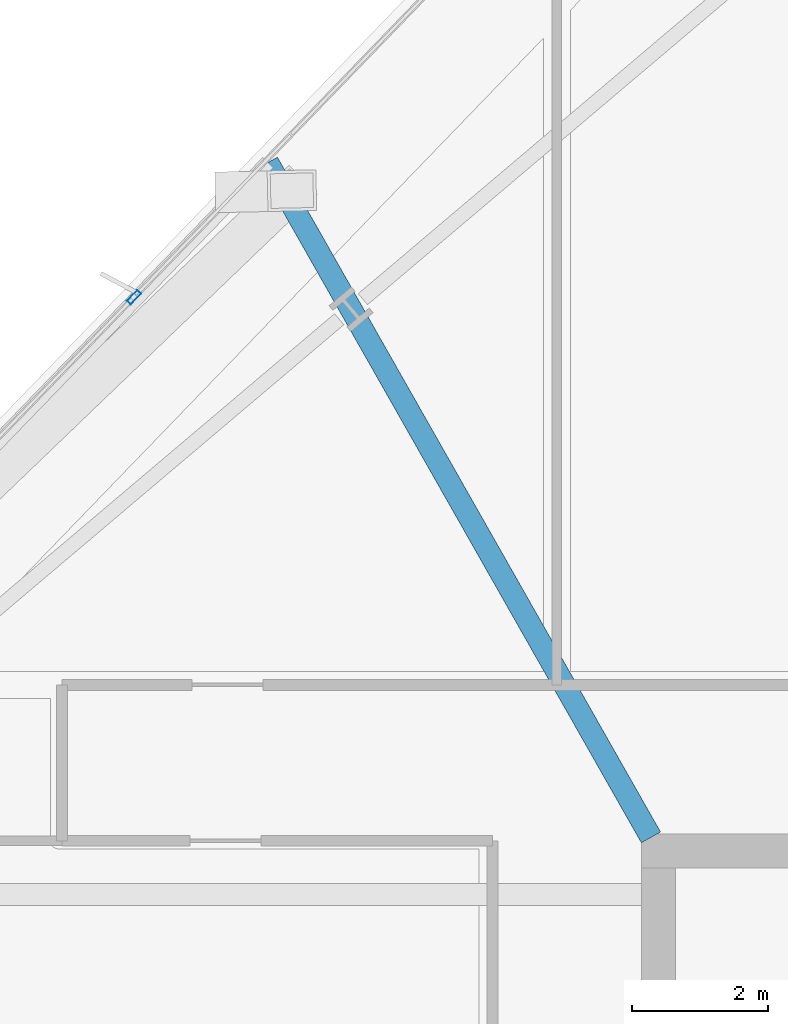
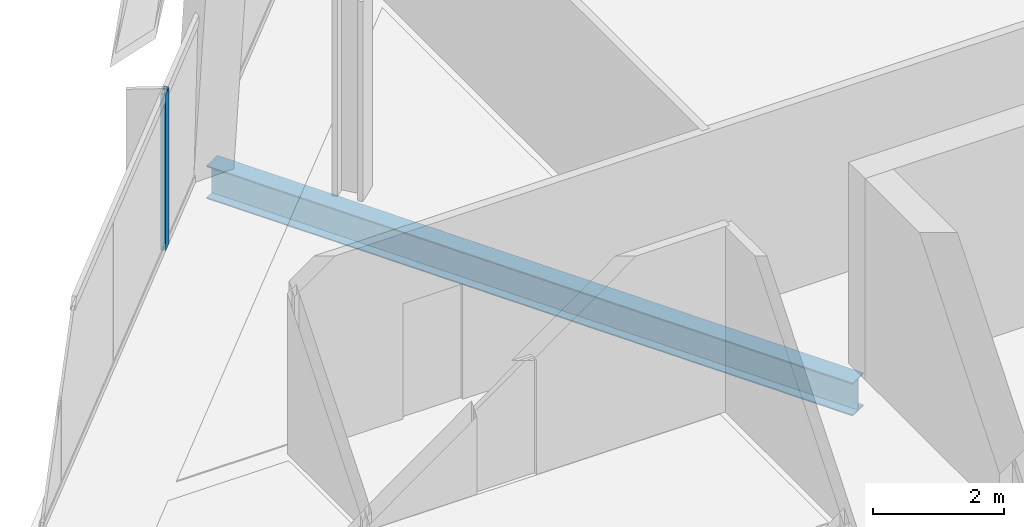
# One storey, part 17 of 33: 1 beam, 1 member, 1 element without a shape of its own.
"""IFC4 building model written with IfcOpenShell, lengths in metres."""

from ifc_helpers import new_model, si_unit, direction, frame, origin, origin_2d, place, context, subcontext, project, spatial, hollow_rectangle, i_section, extrude, material, material_profile, profile_set, type_object, element, aggregate, save


model = new_model("IFC4")

# Units and contexts
model_context = context("Model", 3, precision=1e-05, world=origin(), true_north=direction((0.0, 1.0)))
body_context = subcontext(model_context, "Body", "Model", "MODEL_VIEW")
ifc_project = project(units=[si_unit("LENGTHUNIT", "METRE"), si_unit("AREAUNIT", "SQUARE_METRE"), si_unit("VOLUMEUNIT", "CUBIC_METRE"), si_unit("PLANEANGLEUNIT", "RADIAN"), si_unit("MASSUNIT", "GRAM", prefix="KILO")], contexts=[model_context])

# Site, building, storey
site_placement = place(None, origin())
site = spatial("IfcSite", under=ifc_project, at=site_placement, CompositionType="ELEMENT")
building_placement = place(site_placement, origin())
building = spatial("IfcBuilding", under=site, at=building_placement, Name="Haldenkirk Collegiate Tower", CompositionType="ELEMENT")
storey_placement = place(building_placement, frame((0.0, 0.0, 181.949951171875)))
storey = spatial("IfcBuildingStorey", under=building, at=storey_placement, Name="L45", CompositionType="ELEMENT", Elevation=181.949951171875)

# Beam
ifc_material_1 = material(Name="Steel ASTM A992 Grade 50", Category="steel")
ifc_material_profile_1 = material_profile(ifc_material_1, i_section(OverallWidth=0.324951171875, OverallDepth=0.615966796875, WebThickness=0.013916015625, FlangeThickness=0.021484375, at=origin_2d()), Name="W24X117")
ifc_profile_set_1 = profile_set([ifc_material_profile_1], Name="Steel ASTM A992 Grade 50")
beam_type = type_object("IfcBeamType", Name="BM-GIRDER-W24X117", PredefinedType="BEAM", material=ifc_profile_set_1)
beam_placement = place(storey_placement, frame((21.23583984375, 44.152099609375, -0.597900390625), z_axis=(0.493745495693, -0.869606454371, 0.0), x_axis=(0.869606454371, 0.493745495693, 0.0)))
element("IfcBeam", 1, at=beam_placement, inside=storey, type_object=beam_type, Name="L45 primary floor girder 12", PredefinedType="BEAM", context=body_context, shape_type="SweptSolid", body=[
    extrude(i_section(OverallWidth=0.324951171875, OverallDepth=0.615966796875, WebThickness=0.013916015625, FlangeThickness=0.021484375, at=origin_2d()), origin(), (0.0, 0.0, 1.0), 11.4443359375),
])

# Curtain wall, member
ifc_material_2 = material(Name="Anodised architectural bronze aluminium", Category="aluminium")
curtain_wall_type = type_object("IfcCurtainWallType", Name="CW-SYS1-CONVEX-LOW", PredefinedType="USERDEFINED", material=ifc_material_2)
curtain_wall_placement = place(storey_placement, origin())
curtain_wall = element("IfcCurtainWall", 2, at=curtain_wall_placement, inside=storey, type_object=curtain_wall_type, Name="L45 Lower tower convex bronze-framed unitised curtain wall", ObjectType="UNITISED CURTAIN WALL", PredefinedType="USERDEFINED")
ifc_material_profile_2 = material_profile(ifc_material_2, hollow_rectangle(XDim=0.080078125, YDim=0.219970703125, WallThickness=0.0048828125, at=origin_2d()), Name="CW-MUL-1A")
ifc_profile_set_2 = profile_set([ifc_material_profile_2], Name="Anodised architectural bronze aluminium")
member_type = type_object("IfcMemberType", Name="CW-MUL-1A", PredefinedType="MULLION", material=ifc_profile_set_2)
member_placement = place(storey_placement, frame((19.260986328125, 42.164794921875, 0.0), z_axis=(0.0, 0.0, 1.0), x_axis=(-0.719341171776, 0.694656950291, 0.0)))
member = element("IfcMember", 3, at=member_placement, type_object=member_type, Name="CW-1A mullion 3", PredefinedType="MULLION", context=body_context, shape_type="SweptSolid", body=[
    extrude(hollow_rectangle(XDim=0.080078125, YDim=0.219970703125, WallThickness=0.0048828125, at=origin_2d()), origin(), (0.0, 0.0, 1.0), 2.9111328125),
])
aggregate(curtain_wall, [member])

save(model, "model.ifc")
